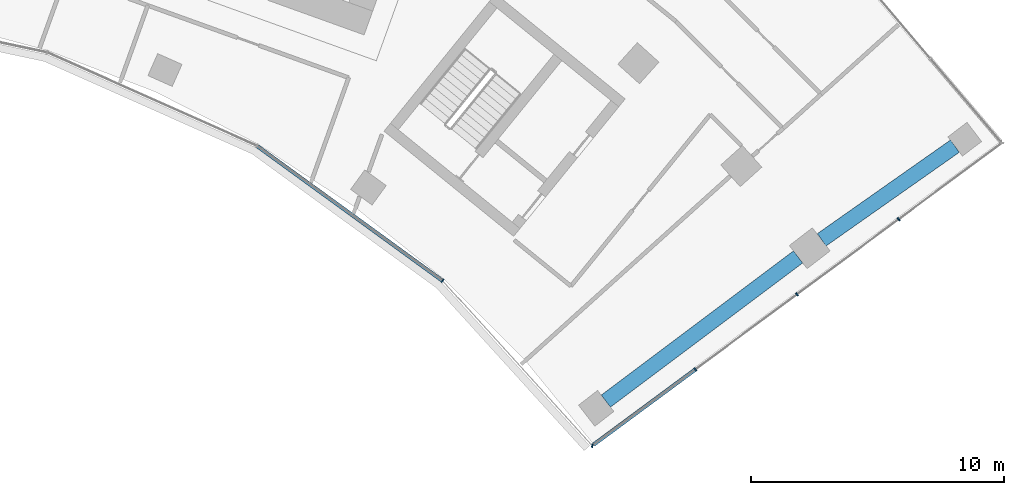
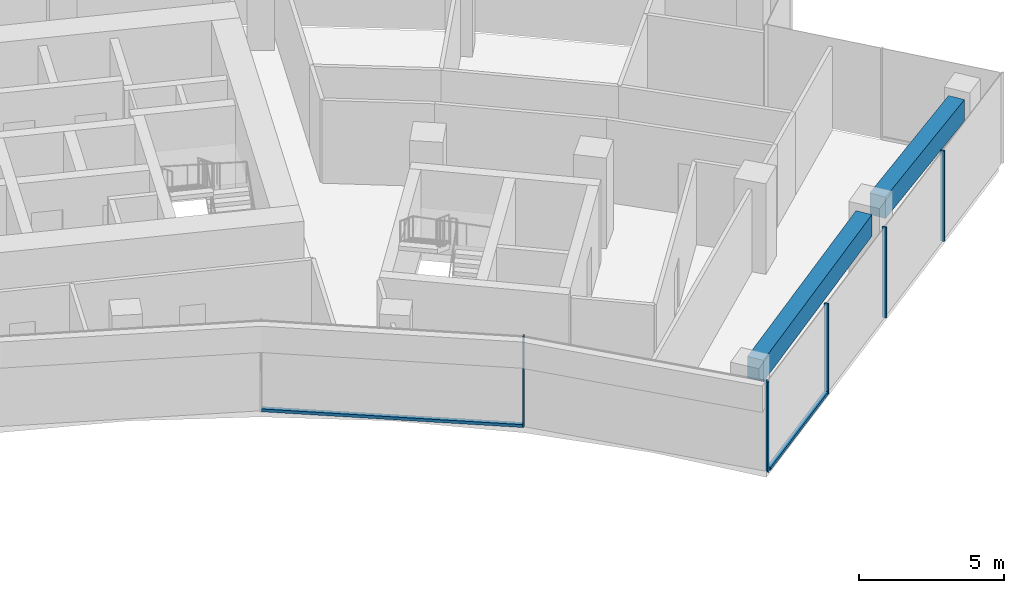
# One storey, part 7 of 16: 7 members, 2 beams, 2 elements without a shape of their own.
"""IFC4 building model written with IfcOpenShell, lengths in metres."""

import ifcopenshell
import ifcopenshell.guid

model = None  # the IFC model being written
_history = None  # IfcOwnerHistory: only IFC2X3 demands one
_inside = {}  # id of a spatial element -> (the spatial element, [elements in it])
_under = {}  # id of a project, library or spatial element -> (it, [spatial elements below it])
_declared = {}  # id of a project -> (the project, [libraries it declares])
_typed = {}  # id of a type object -> (the type object, [elements of that type])
_made_of = {}  # id of a material, layer set ... -> (it, [elements and type objects made of it])


def new_model(schema):
    """Start an empty IFC model of exactly this schema.

    Asked for "IFC4X3", IfcOpenShell would pick the latest addendum, in which some entities
    have other attributes; the version numbers below select the first issue.
    IFC2X3 requires an IfcOwnerHistory on every rooted entity: one is made here for all.
    """
    global model, _history
    if schema == "IFC4X3":
        model = ifcopenshell.file(schema_version=(4, 3, 0, 0))
    else:
        model = ifcopenshell.file(schema=schema)
    _inside.clear()
    _under.clear()
    _declared.clear()
    _typed.clear()
    _made_of.clear()
    _history = None
    if model.schema == "IFC2X3":
        org = make("IfcOrganization", Name="unknown")
        user = make(
            "IfcPersonAndOrganization",
            ThePerson=make("IfcPerson", FamilyName="unknown"),
            TheOrganization=org,
        )
        app = make(
            "IfcApplication",
            ApplicationDeveloper=org,
            Version="unknown",
            ApplicationFullName="unknown",
            ApplicationIdentifier="unknown",
        )
        _history = make(
            "IfcOwnerHistory",
            OwningUser=user,
            OwningApplication=app,
            ChangeAction="ADDED",
            CreationDate=0,
        )
    return model


def make(cls, **values):
    """One entity of the class cls with the attributes given. An attribute that is None is left unset."""
    return model.create_entity(
        cls, **{name: value for name, value in values.items() if value is not None}
    )


def rooted(cls, **values):
    """An entity with a GlobalId (a new one), such as an element, a storey or a relation."""
    return make(cls, GlobalId=ifcopenshell.guid.new(), OwnerHistory=_history, **values)


def si_unit(unit_type, name, prefix=None):
    """IfcSIUnit, for example si_unit("LENGTHUNIT", "METRE", prefix="MILLI")."""
    return make("IfcSIUnit", UnitType=unit_type, Prefix=prefix, Name=name)


def assignment(units):
    """IfcUnitAssignment: the units of a project."""
    return None if units is None else make("IfcUnitAssignment", Units=units)


def point(xyz):
    """IfcCartesianPoint."""
    return None if xyz is None else make("IfcCartesianPoint", Coordinates=xyz)


def direction(xyz):
    """IfcDirection."""
    return None if xyz is None else make("IfcDirection", DirectionRatios=xyz)


def frame(location, z_axis=None, x_axis=None):
    """IfcAxis2Placement3D, a coordinate frame: its origin and axes. An axis left out is left unset."""
    return make(
        "IfcAxis2Placement3D",
        Location=point(location),
        Axis=direction(z_axis),
        RefDirection=direction(x_axis),
    )


def frame_2d(location, x_axis=None):
    """IfcAxis2Placement2D, a coordinate frame in the plane: its origin and x axis."""
    return make(
        "IfcAxis2Placement2D", Location=point(location), RefDirection=direction(x_axis)
    )


def origin():
    """The frame at (0, 0, 0) with its axes left unset."""
    return frame((0.0, 0.0, 0.0))


def origin_2d():
    """The frame at (0, 0) in the plane with its x axis left unset."""
    return frame_2d((0.0, 0.0))


def place(relative_to, where):
    """IfcLocalPlacement: puts the frame where relative to a parent placement (None: the world)."""
    return make(
        "IfcLocalPlacement", PlacementRelTo=relative_to, RelativePlacement=where
    )


def context(
    kind, dimensions, precision=None, world=None, true_north=None, identifier=None
):
    """IfcGeometricRepresentationContext, for example the 3D "Model" context."""
    return make(
        "IfcGeometricRepresentationContext",
        ContextIdentifier=identifier,
        ContextType=kind,
        CoordinateSpaceDimension=dimensions,
        Precision=precision,
        WorldCoordinateSystem=world,
        TrueNorth=true_north,
    )


def subcontext(parent, identifier, kind, view, scale=None):
    """IfcGeometricRepresentationSubContext, for example "Body" below "Model"."""
    return make(
        "IfcGeometricRepresentationSubContext",
        ContextIdentifier=identifier,
        ContextType=kind,
        ParentContext=parent,
        TargetScale=scale,
        TargetView=view,
    )


def project(units=None, contexts=None):
    """IfcProject with its units and contexts."""
    return rooted(
        "IfcProject",
        Name="project",
        RepresentationContexts=contexts,
        UnitsInContext=assignment(units),
    )


def spatial(cls, under=None, at=None, **own):
    """A site, building, storey or space (cls), placed at a placement, below another one or the project."""
    s = rooted(cls, ObjectPlacement=at, **own)
    if under is not None:
        _under.setdefault(under.id(), (under, []))[1].append(s)
    return s


def profile(cls, at=None, kind="AREA", **sizes):
    """A parametric profile (cls). Its sizes go by their IFC names, for example OverallWidth=200.0."""
    return make(cls, ProfileType=kind, Position=at, **sizes)


def rectangle(**sizes):
    """IfcRectangleProfileDef."""
    return profile("IfcRectangleProfileDef", **sizes)


def extrude(swept, where, along, depth):
    """IfcExtrudedAreaSolid: the profile swept, set in the frame where, extruded along a direction by depth."""
    return make(
        "IfcExtrudedAreaSolid",
        SweptArea=swept,
        Position=where,
        ExtrudedDirection=direction(along),
        Depth=depth,
    )


def shape(context_of_items, identifier, shape_type, items):
    """IfcShapeRepresentation: the items that make up one representation, for example the "Body"."""
    return make(
        "IfcShapeRepresentation",
        ContextOfItems=context_of_items,
        RepresentationIdentifier=identifier,
        RepresentationType=shape_type,
        Items=items,
    )


def material(Name=None, Category=None):
    """IfcMaterial."""
    return make("IfcMaterial", Name=Name, Category=Category)


def layer(
    of_material, thickness, ventilated=None, Name=None, Category=None, Priority=None
):
    """IfcMaterialLayer: one layer of a wall or slab, of a material (None: an air gap)."""
    return make(
        "IfcMaterialLayer",
        Material=of_material,
        LayerThickness=thickness,
        IsVentilated=ventilated,
        Name=Name,
        Category=Category,
        Priority=Priority,
    )


def layer_set(layers, Name=None):
    """IfcMaterialLayerSet."""
    return make("IfcMaterialLayerSet", MaterialLayers=layers, LayerSetName=Name)


def material_profile(
    of_material, cross_section, Name=None, Category=None, Priority=None
):
    """IfcMaterialProfile: a cross section and its material."""
    return make(
        "IfcMaterialProfile",
        Name=Name,
        Material=of_material,
        Profile=cross_section,
        Priority=Priority,
        Category=Category,
    )


def profile_set(profiles, Name=None, composite=None):
    """IfcMaterialProfileSet."""
    return make(
        "IfcMaterialProfileSet",
        Name=Name,
        MaterialProfiles=profiles,
        CompositeProfile=composite,
    )


def made_of(thing, what):
    """Note that an element or type object is made of a material, layer set ...; save() writes the relation."""
    if what is not None:
        _made_of.setdefault(what.id(), (what, []))[1].append(thing)
    return thing


def type_object(cls, material=None, **own):
    """A type object (cls), such as IfcWallType, which elements share."""
    return made_of(rooted(cls, **own), material)


def element(
    cls,
    number,
    at=None,
    inside=None,
    cuts=None,
    type_object=None,
    material=None,
    context=None,
    identifier="Body",
    shape_type=None,
    held_by="IfcProductDefinitionShape",
    body=None,
    shapes=None,
    **own,
):
    """One element of the class cls, such as IfcWall. Its Tag is "e" and its number.

    at: its placement. inside: the storey or other place that contains it. cuts: it is an
    opening in that element (IfcRelVoidsElement). A single representation is given by context,
    identifier, shape_type and body (its items); several are given by shapes. held_by: the class
    of the entity that holds the representations. save() writes the other relations.
    """
    e = rooted(cls, Tag="e%d" % number, ObjectPlacement=at, **own)
    if body is not None:
        shapes = [shape(context, identifier, shape_type, body)]
    if shapes is not None:
        e.Representation = make(held_by, Representations=shapes)
    if inside is not None:
        _inside.setdefault(inside.id(), (inside, []))[1].append(e)
    if cuts is not None:
        rooted(
            "IfcRelVoidsElement", RelatingBuildingElement=cuts, RelatedOpeningElement=e
        )
    if type_object is not None:
        _typed.setdefault(type_object.id(), (type_object, []))[1].append(e)
    return made_of(e, material)


def aggregate(whole, parts):
    """IfcRelAggregates: a whole, such as a stair, and the parts it consists of."""
    return rooted("IfcRelAggregates", RelatingObject=whole, RelatedObjects=parts)


def save(model, path):
    """Write the relations noted so far, then the file.

    IfcRelAggregates (storeys below a building ...), IfcRelContainedInSpatialStructure (elements
    in a storey), IfcRelDefinesByType, IfcRelAssociatesMaterial and IfcRelDeclares: one each for
    every whole, place, type object, material and project.
    """
    for whole, parts in _under.values():
        aggregate(whole, parts)
    for where, things in _inside.values():
        rooted(
            "IfcRelContainedInSpatialStructure",
            RelatedElements=things,
            RelatingStructure=where,
        )
    for kind, things in _typed.values():
        rooted("IfcRelDefinesByType", RelatedObjects=things, RelatingType=kind)
    for what, things in _made_of.values():
        rooted("IfcRelAssociatesMaterial", RelatedObjects=things, RelatingMaterial=what)
    for by, libraries in _declared.values():
        rooted("IfcRelDeclares", RelatingContext=by, RelatedDefinitions=libraries)
    model.write(path)


model = new_model("IFC4")

# Units and contexts
model_context = context("Model", 3, precision=1e-05, world=origin(), true_north=direction((0.0, 1.0)))
body_context = subcontext(model_context, "Body", "Model", "MODEL_VIEW")
ifc_project = project(units=[si_unit("LENGTHUNIT", "METRE"), si_unit("AREAUNIT", "SQUARE_METRE"), si_unit("VOLUMEUNIT", "CUBIC_METRE"), si_unit("PLANEANGLEUNIT", "RADIAN"), si_unit("MASSUNIT", "GRAM", prefix="KILO")], contexts=[model_context])

# Site, building, storey
site_placement = place(None, origin())
site = spatial("IfcSite", under=ifc_project, at=site_placement, CompositionType="ELEMENT")
building_placement = place(site_placement, origin())
building = spatial("IfcBuilding", under=site, at=building_placement, Name="Stone Belt Terrace Tower", CompositionType="ELEMENT")
storey_placement = place(building_placement, frame((0.0, 0.0, 242.800048828125)))
storey = spatial("IfcBuildingStorey", under=building, at=storey_placement, Name="L59", CompositionType="ELEMENT", Elevation=242.800048828125)

# Curtain wall, members
ifc_material_1 = material(Name="Aluminium 6063-T6 anodised frame", Category="aluminium")
ifc_layer_1 = layer(ifc_material_1, 0.14990234375)
ifc_layer_set_1 = layer_set([ifc_layer_1], Name="CW-B unitised concave-face curtain wall")
curtain_wall_type_1 = type_object("IfcCurtainWallType", Name="CW-B unitised concave-face curtain wall", PredefinedType="NOTDEFINED", material=ifc_layer_set_1)
curtain_wall_1_placement = place(storey_placement, origin())
curtain_wall_1 = element("IfcCurtainWall", 1, at=curtain_wall_1_placement, inside=storey, type_object=curtain_wall_type_1, Name="CW-B concave face L59", PredefinedType="NOTDEFINED")
ifc_material_profile_1 = material_profile(ifc_material_1, rectangle(XDim=0.14990234375, YDim=0.050048828125, at=origin_2d()), Name="Aluminium 6063-T6 50x150")
ifc_profile_set_1 = profile_set([ifc_material_profile_1], Name="Aluminium 6063-T6 anodised frame")
member_type_1 = type_object("IfcMemberType", Name="CW-B mullion 50 x 150", PredefinedType="MULLION", material=ifc_profile_set_1)
member_1_placement = place(storey_placement, frame((29.056884765625, 32.270751953125, 0.0), z_axis=(0.0, 0.0, 1.0), x_axis=(0.667655571962, 0.744470306479, 0.0)))
member_1 = element("IfcMember", 2, at=member_1_placement, type_object=member_type_1, Name="CW-B mullion 8", PredefinedType="MULLION", context=body_context, shape_type="SweptSolid", body=[
    extrude(rectangle(XDim=0.14990234375, YDim=0.050048828125, at=origin_2d()), origin(), (0.0, 0.0, 1.0), 3.800048828125),
])
ifc_material_profile_2 = material_profile(ifc_material_1, rectangle(XDim=0.14990234375, YDim=0.1201171875, at=origin_2d()), Name="Aluminium 6063-T6 150x120")
ifc_profile_set_2 = profile_set([ifc_material_profile_2], Name="Aluminium 6063-T6 anodised frame")
member_type_2 = type_object("IfcMemberType", Name="CW-B transom 120 x 150", PredefinedType="USERDEFINED", material=ifc_profile_set_2)
member_2_placement = place(storey_placement, frame((21.73876953125, 37.587646484375, 0.06005859375), z_axis=(0.809012430507, -0.587791533867, 0.0), x_axis=(0.587791533867, 0.809012430507, 0.0)))
member_2 = element("IfcMember", 3, at=member_2_placement, type_object=member_type_2, Name="CW-B transom 7.1", ObjectType="TRANSOM", PredefinedType="USERDEFINED", context=body_context, shape_type="SweptSolid", body=[
    extrude(rectangle(XDim=0.14990234375, YDim=0.1201171875, at=origin_2d()), origin(), (0.0, 0.0, 1.0), 9.01318359375),
])
aggregate(curtain_wall_1, [member_1, member_2])

ifc_layer_2 = layer(ifc_material_1, 0.14990234375)
ifc_layer_set_2 = layer_set([ifc_layer_2], Name="CW-C stick curtain wall, horn ends and notches")
curtain_wall_type_2 = type_object("IfcCurtainWallType", Name="CW-C stick curtain wall, horn ends and notches", PredefinedType="NOTDEFINED", material=ifc_layer_set_2)
curtain_wall_2_placement = place(storey_placement, origin())
curtain_wall_2 = element("IfcCurtainWall", 4, at=curtain_wall_2_placement, inside=storey, type_object=curtain_wall_type_2, Name="CW-C end face L59", PredefinedType="NOTDEFINED")
ifc_material_profile_3 = material_profile(ifc_material_1, rectangle(XDim=0.14990234375, YDim=0.06005859375, at=origin_2d()), Name="Aluminium 6063-T6 60x150")
ifc_profile_set_3 = profile_set([ifc_material_profile_3], Name="Aluminium 6063-T6 anodised frame")
member_type_3 = type_object("IfcMemberType", Name="CW-C mullion 60 x 150", PredefinedType="MULLION", material=ifc_profile_set_3)
member_3_placement = place(storey_placement, frame((34.978271484375, 25.746337890625, 0.0), z_axis=(0.0, 0.0, 1.0), x_axis=(0.098609982845, 0.995126158476, 0.0)))
member_3 = element("IfcMember", 5, at=member_3_placement, type_object=member_type_3, Name="CW-C mullion 1", PredefinedType="MULLION", context=body_context, shape_type="SweptSolid", body=[
    extrude(rectangle(XDim=0.14990234375, YDim=0.06005859375, at=origin_2d()), origin(), (0.0, 0.0, 1.0), 3.800048828125),
])
member_4_placement = place(storey_placement, frame((39.054443359375, 28.757568359375, 0.0), z_axis=(0.0, 0.0, 1.0), x_axis=(-0.594184091865, 0.804329077539, 0.0)))
member_4 = element("IfcMember", 6, at=member_4_placement, type_object=member_type_3, Name="CW-C mullion 2", PredefinedType="MULLION", context=body_context, shape_type="SweptSolid", body=[
    extrude(rectangle(XDim=0.14990234375, YDim=0.06005859375, at=origin_2d()), origin(), (0.0, 0.0, 1.0), 3.800048828125),
])
member_5_placement = place(storey_placement, frame((43.076171875, 31.728515625, 0.0), z_axis=(0.0, 0.0, 1.0), x_axis=(-0.594184091865, 0.804329077539, 0.0)))
member_5 = element("IfcMember", 7, at=member_5_placement, type_object=member_type_3, Name="CW-C mullion 3", PredefinedType="MULLION", context=body_context, shape_type="SweptSolid", body=[
    extrude(rectangle(XDim=0.14990234375, YDim=0.06005859375, at=origin_2d()), origin(), (0.0, 0.0, 1.0), 3.800048828125),
])
member_6_placement = place(storey_placement, frame((47.097900390625, 34.699462890625, 0.0), z_axis=(0.0, 0.0, 1.0), x_axis=(-0.594184091865, 0.804329077539, 0.0)))
member_6 = element("IfcMember", 8, at=member_6_placement, type_object=member_type_3, Name="CW-C mullion 4", PredefinedType="MULLION", context=body_context, shape_type="SweptSolid", body=[
    extrude(rectangle(XDim=0.14990234375, YDim=0.06005859375, at=origin_2d()), origin(), (0.0, 0.0, 1.0), 3.800048828125),
])
ifc_material_profile_4 = material_profile(ifc_material_1, rectangle(XDim=0.14990234375, YDim=0.1201171875, at=origin_2d()), Name="Aluminium 6063-T6 150x120")
ifc_profile_set_4 = profile_set([ifc_material_profile_4], Name="Aluminium 6063-T6 anodised frame")
member_type_4 = type_object("IfcMemberType", Name="CW-C transom 120 x 150", PredefinedType="USERDEFINED", material=ifc_profile_set_4)
member_7_placement = place(storey_placement, frame((35.03662109375, 25.78955078125, 0.06005859375), z_axis=(0.804333483404, 0.594178127733, 0.0), x_axis=(-0.594178127733, 0.804333483404, 0.0)))
member_7 = element("IfcMember", 9, at=member_7_placement, type_object=member_type_4, Name="CW-C transom 1.1", ObjectType="TRANSOM", PredefinedType="USERDEFINED", context=body_context, shape_type="SweptSolid", body=[
    extrude(rectangle(XDim=0.14990234375, YDim=0.1201171875, at=origin_2d()), origin(), (0.0, 0.0, 1.0), 4.965087890625),
])
aggregate(curtain_wall_2, [member_3, member_4, member_5, member_6, member_7])

# Beams
ifc_material_2 = material(Name="Concrete B60", Category="concrete")
ifc_material_profile_5 = material_profile(ifc_material_2, rectangle(XDim=0.60009765625, YDim=0.89990234375, at=origin_2d()), Name="RC 600x900")
ifc_profile_set_5 = profile_set([ifc_material_profile_5], Name="Concrete B60")
beam_type = type_object("IfcBeamType", Name="Edge beam RC 600x900 B60", PredefinedType="SPANDREL", material=ifc_profile_set_5)
beam_1_placement = place(storey_placement, frame((35.51318359375, 27.5068359375, 3.030029296875), z_axis=(0.800073960697, 0.599901373073, 0.0), x_axis=(-0.599901373073, 0.800073960697, 0.0)))
element("IfcBeam", 10, at=beam_1_placement, inside=storey, type_object=beam_type, Name="Edge beam L59 B P to Q", PredefinedType="SPANDREL", context=body_context, shape_type="SweptSolid", body=[
    extrude(rectangle(XDim=0.60009765625, YDim=0.89990234375, at=origin_2d()), origin(), (0.0, 0.0, 1.0), 9.505859375),
])
beam_2_placement = place(storey_placement, frame((44.049560546875, 33.885498046875, 3.030029296875), z_axis=(0.817996569297, 0.575223098126, 0.0), x_axis=(-0.575223098126, 0.817996569297, 0.0)))
element("IfcBeam", 11, at=beam_2_placement, inside=storey, type_object=beam_type, Name="Edge beam L59 B Q to R", PredefinedType="SPANDREL", context=body_context, shape_type="SweptSolid", body=[
    extrude(rectangle(XDim=0.60009765625, YDim=0.89990234375, at=origin_2d()), origin(), (0.0, 0.0, 1.0), 6.444091796875),
])

save(model, "model.ifc")
